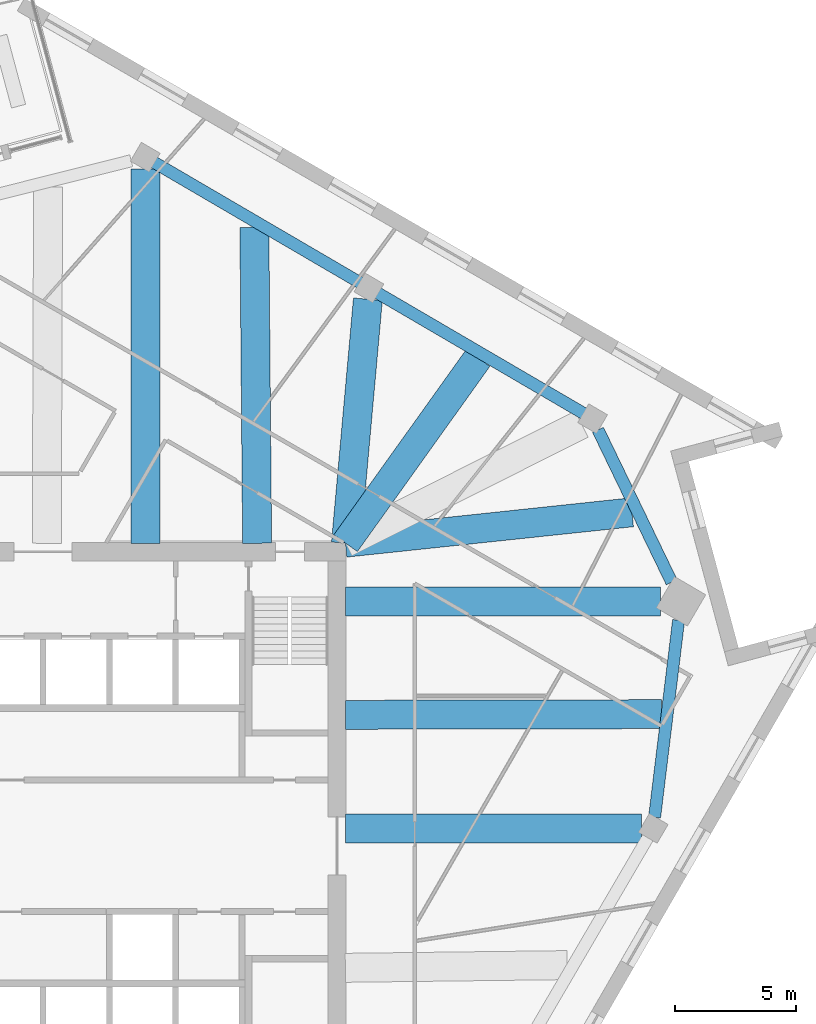
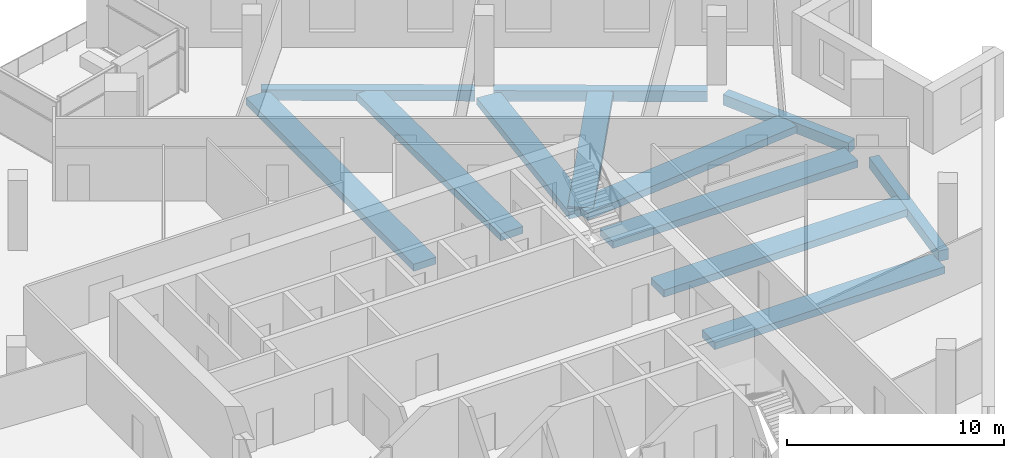
# One storey, part 3 of 13: 12 beams.
"""IFC4 building model written with IfcOpenShell, lengths in metres."""

from ifc_helpers import new_model, si_unit, direction, frame, origin, origin_2d, place, context, subcontext, project, spatial, rectangle, extrude, material, material_profile, profile_set, type_object, element, save


model = new_model("IFC4")

# Units and contexts
model_context = context("Model", 3, precision=1e-05, world=origin(), true_north=direction((0.0, 1.0)))
body_context = subcontext(model_context, "Body", "Model", "MODEL_VIEW")
ifc_project = project(units=[si_unit("LENGTHUNIT", "METRE"), si_unit("AREAUNIT", "SQUARE_METRE"), si_unit("VOLUMEUNIT", "CUBIC_METRE"), si_unit("PLANEANGLEUNIT", "RADIAN"), si_unit("MASSUNIT", "GRAM", prefix="KILO")], contexts=[model_context])

# Site, building, storey
site_placement = place(None, origin())
site = spatial("IfcSite", under=ifc_project, at=site_placement, CompositionType="ELEMENT")
building_placement = place(site_placement, origin())
building = spatial("IfcBuilding", under=site, at=building_placement, Name="Dilmun Exchange Tower", CompositionType="ELEMENT")
storey_placement = place(building_placement, frame((0.0, 0.0, 270.89990234375)))
storey = spatial("IfcBuildingStorey", under=building, at=storey_placement, Name="L64", CompositionType="ELEMENT", Elevation=270.89990234375)

# Beams
ifc_material = material(Name="Concrete C40/50", Category="concrete")
ifc_material_profile_1 = material_profile(ifc_material, rectangle(XDim=1.199951171875, YDim=0.39990234375, at=origin_2d()), Name="1200 x 400")
ifc_profile_set_1 = profile_set([ifc_material_profile_1], Name="Concrete C40/50")
beam_type_1 = type_object("IfcBeamType", Name="RC band beam 1200 x 400 C40/50", PredefinedType="BEAM", material=ifc_profile_set_1)
beam_1_placement = place(storey_placement, frame((24.773681640625, 0.721923828125, -0.659912109375), z_axis=(-1.0, 0.0, 0.0), x_axis=(0.0, -1.0, 0.0)))
element("IfcBeam", 1, at=beam_1_placement, inside=storey, type_object=beam_type_1, Name="Band beam 12", PredefinedType="BEAM", context=body_context, shape_type="SweptSolid", body=[
    extrude(rectangle(XDim=1.199951171875, YDim=0.39990234375, at=origin_2d()), origin(), (0.0, 0.0, 1.0), 12.250732421875),
])
beam_2_placement = place(storey_placement, frame((25.5732421875, 10.1220703125, -0.659912109375), z_axis=(-1.0, 0.0, 0.0), x_axis=(0.0, -1.0, 0.0)))
element("IfcBeam", 2, at=beam_2_placement, inside=storey, type_object=beam_type_1, Name="Band beam 13", PredefinedType="BEAM", context=body_context, shape_type="SweptSolid", body=[
    extrude(rectangle(XDim=1.199951171875, YDim=0.39990234375, at=origin_2d()), origin(), (0.0, 0.0, 1.0), 13.05029296875),
])
beam_3_placement = place(storey_placement, frame((13.456787109375, 22.625732421875, -0.659912109375), z_axis=(-0.089632924375, -0.995974868593, 0.0), x_axis=(0.995974868593, -0.089632924375, 0.0)))
element("IfcBeam", 3, at=beam_3_placement, inside=storey, type_object=beam_type_1, Name="Band beam 15", PredefinedType="BEAM", context=body_context, shape_type="SweptSolid", body=[
    extrude(rectangle(XDim=1.199951171875, YDim=0.39990234375, at=origin_2d()), origin(), (0.0, 0.0, 1.0), 10.143310546875),
])
beam_4_placement = place(storey_placement, frame((4.239990234375, 28.01171875, -0.659912109375), z_axis=(0.0, -1.0, 0.0), x_axis=(1.0, 0.0, 0.0)))
element("IfcBeam", 4, at=beam_4_placement, inside=storey, type_object=beam_type_1, Name="Band beam 16", PredefinedType="BEAM", context=body_context, shape_type="SweptSolid", body=[
    extrude(rectangle(XDim=1.199951171875, YDim=0.39990234375, at=origin_2d()), origin(), (0.0, 0.0, 1.0), 15.48876953125),
])
beam_5_placement = place(storey_placement, frame((25.6201171875, 5.448974609375, -0.559814453125), z_axis=(-0.999997897774, -0.002050474756, 0.0), x_axis=(0.002050474756, -0.999997897774, 0.0)))
element("IfcBeam", 5, at=beam_5_placement, inside=storey, type_object=beam_type_1, Name="Band beam 28", PredefinedType="BEAM", context=body_context, shape_type="SweptSolid", body=[
    extrude(rectangle(XDim=1.199951171875, YDim=0.39990234375, at=origin_2d()), origin(), (0.0, 0.0, 1.0), 13.09716796875),
])
beam_6_placement = place(storey_placement, frame((24.3857421875, 13.804931640625, -0.559814453125), z_axis=(-0.994425543871, -0.105441157505, 0.0), x_axis=(0.105441157505, -0.994425543871, 0.0)))
element("IfcBeam", 6, at=beam_6_placement, inside=storey, type_object=beam_type_1, Name="Band beam 29", PredefinedType="BEAM", context=body_context, shape_type="SweptSolid", body=[
    extrude(rectangle(XDim=1.199951171875, YDim=0.39990234375, at=origin_2d()), origin(), (0.0, 0.0, 1.0), 11.928955078125),
])
beam_7_placement = place(storey_placement, frame((18.01611328125, 20.195556640625, -0.559814453125), z_axis=(-0.581600762294, -0.81347437163, 0.0), x_axis=(0.81347437163, -0.581600762294, 0.0)))
element("IfcBeam", 7, at=beam_7_placement, inside=storey, type_object=beam_type_1, Name="Band beam 30", PredefinedType="BEAM", context=body_context, shape_type="SweptSolid", body=[
    extrude(rectangle(XDim=1.199951171875, YDim=0.39990234375, at=origin_2d()), origin(), (0.0, 0.0, 1.0), 9.425537109375),
])
beam_8_placement = place(storey_placement, frame((8.757080078125, 25.607421875, -0.559814453125), z_axis=(0.008582734208, -0.999963167658, 0.0), x_axis=(0.999963167658, 0.008582734208, 0.0)))
element("IfcBeam", 8, at=beam_8_placement, inside=storey, type_object=beam_type_1, Name="Band beam 31", PredefinedType="BEAM", context=body_context, shape_type="SweptSolid", body=[
    extrude(rectangle(XDim=1.199951171875, YDim=0.39990234375, at=origin_2d()), origin(), (0.0, 0.0, 1.0), 13.0849609375),
])
ifc_material_profile_2 = material_profile(ifc_material, rectangle(XDim=0.5, YDim=0.60009765625, at=origin_2d()), Name="500 x 600")
ifc_profile_set_2 = profile_set([ifc_material_profile_2], Name="Concrete C40/50")
beam_type_2 = type_object("IfcBeamType", Name="RC ring beam 500 x 600 C40/50", PredefinedType="SPANDREL", material=ifc_profile_set_2)
beam_9_placement = place(storey_placement, frame((25.32421875, 1.181640625, -0.659912109375), z_axis=(0.121108645076, 0.992639257781, 0.0), x_axis=(-0.992639257781, 0.121108645076, 0.0)))
element("IfcBeam", 9, at=beam_9_placement, inside=storey, type_object=beam_type_2, Name="Ring beam 12", PredefinedType="SPANDREL", context=body_context, shape_type="SweptSolid", body=[
    extrude(rectangle(XDim=0.5, YDim=0.60009765625, at=origin_2d()), origin(), (0.0, 0.0, 1.0), 8.216796875),
])
beam_10_placement = place(storey_placement, frame((26.033447265625, 10.910888671875, -0.659912109375), z_axis=(-0.435439794363, 0.900217854458, 0.0), x_axis=(-0.900217854458, -0.435439794363, 0.0)))
element("IfcBeam", 10, at=beam_10_placement, inside=storey, type_object=beam_type_2, Name="Ring beam 13", PredefinedType="SPANDREL", context=body_context, shape_type="SweptSolid", body=[
    extrude(rectangle(XDim=0.5, YDim=0.60009765625, at=origin_2d()), origin(), (0.0, 0.0, 1.0), 7.0068359375),
])
beam_11_placement = place(storey_placement, frame((22.392822265625, 17.8955078125, -0.659912109375), z_axis=(-0.863333071594, 0.504634528637, 0.0), x_axis=(-0.504634528637, -0.863333071594, 0.0)))
element("IfcBeam", 11, at=beam_11_placement, inside=storey, type_object=beam_type_2, Name="Ring beam 14", PredefinedType="SPANDREL", context=body_context, shape_type="SweptSolid", body=[
    extrude(rectangle(XDim=0.5, YDim=0.60009765625, at=origin_2d()), origin(), (0.0, 0.0, 1.0), 9.878662109375),
])
beam_12_placement = place(storey_placement, frame((13.1337890625, 23.3076171875, -0.659912109375), z_axis=(-0.863343838609, 0.504616107884, 0.0), x_axis=(-0.504616107884, -0.863343838609, 0.0)))
element("IfcBeam", 12, at=beam_12_placement, inside=storey, type_object=beam_type_2, Name="Ring beam 15", PredefinedType="SPANDREL", context=body_context, shape_type="SweptSolid", body=[
    extrude(rectangle(XDim=0.5, YDim=0.60009765625, at=origin_2d()), origin(), (0.0, 0.0, 1.0), 9.87841796875),
])

save(model, "model.ifc")
